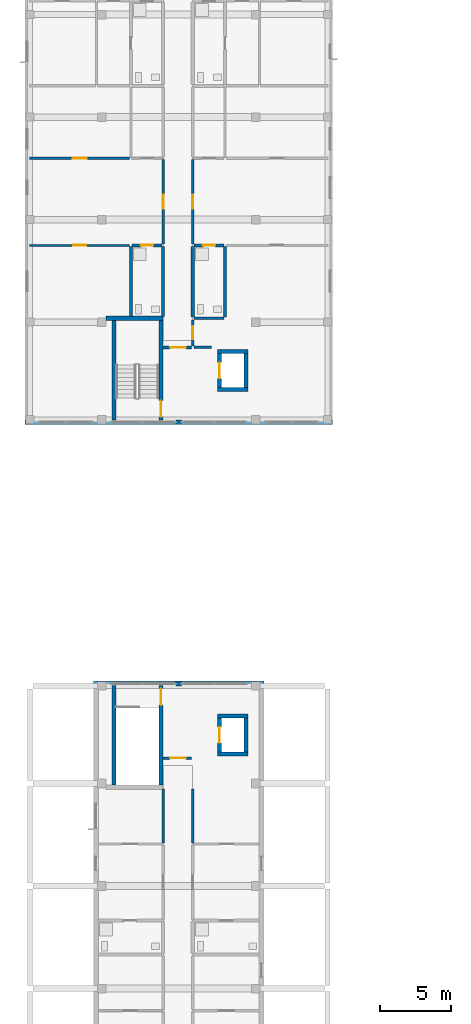
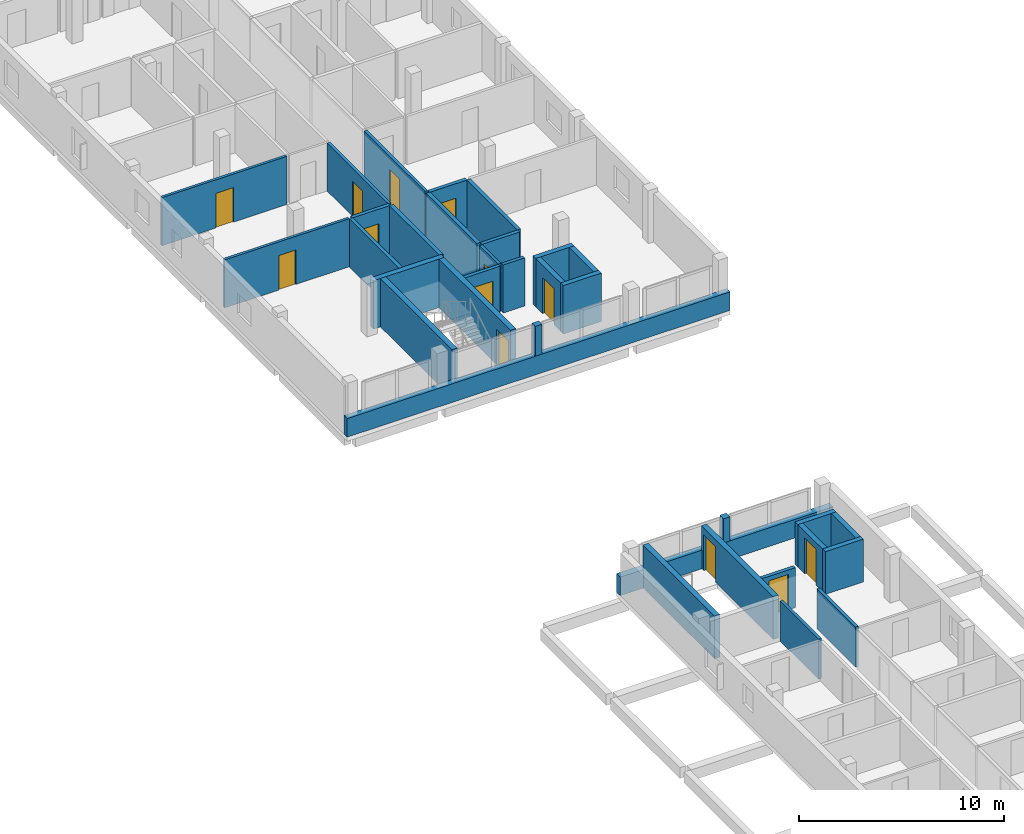
# One storey, part 13 of 34: 34 walls, 13 doors, 13 openings.
"""IFC4 building model written with IfcOpenShell, lengths in metres."""

from ifc_helpers import new_model, si_unit, derived_unit, direction, frame, frame_2d, origin, place, context, subcontext, project, spatial, rectangle, extrude, material, layer, layer_set, type_object, element, fill, save


model = new_model("IFC4")

# Units and contexts
model_context = context("Model", 3, precision=1e-05, world=origin(), true_north=direction((0.0, 1.0)))
body_context = subcontext(model_context, "Body", "Model", "MODEL_VIEW")
ifc_project = project(units=[si_unit("LENGTHUNIT", "METRE"), si_unit("AREAUNIT", "SQUARE_METRE"), si_unit("VOLUMEUNIT", "CUBIC_METRE"), si_unit("PLANEANGLEUNIT", "RADIAN"), si_unit("MASSUNIT", "GRAM", prefix="KILO"), derived_unit("THERMALTRANSMITTANCEUNIT", [(si_unit("MASSUNIT", "GRAM", prefix="KILO"), 1), (si_unit("TIMEUNIT", "SECOND"), -3), (si_unit("THERMODYNAMICTEMPERATUREUNIT", "KELVIN"), -1)])], contexts=[model_context])

# Site, building, storey
site_placement = place(None, origin())
site = spatial("IfcSite", under=ifc_project, at=site_placement, CompositionType="ELEMENT")
building_placement = place(site_placement, origin())
building = spatial("IfcBuilding", under=site, at=building_placement, Name="Ochrekiln Boulevard Commons", CompositionType="ELEMENT")
storey_placement = place(building_placement, frame((0.0, 0.0, 27.824951171875)))
storey = spatial("IfcBuildingStorey", under=building, at=storey_placement, Name="L08", CompositionType="ELEMENT", Elevation=27.824951171875)

# Walls
ifc_material_1 = material(Name="Iron-spot brown clinker brick masonry ASTM C216 Grade SW", Category="masonry")
ifc_layer_1 = layer(ifc_material_1, 0.364990234375)
ifc_layer_set_1 = layer_set([ifc_layer_1], Name="Iron-spot brown clinker brick masonry ASTM C216 Grade SW")
wall_type_1 = type_object("IfcWallType", Name="WL-EXT-IRON-365", PredefinedType="SOLIDWALL", material=ifc_layer_set_1)
wall_1_placement = place(storey_placement, frame((4.800048828125, 50.217529296875, 0.0), z_axis=(0.0, 0.0, 1.0), x_axis=(1.0, 0.0, 0.0)))
element("IfcWall", 1, at=wall_1_placement, inside=storey, type_object=wall_type_1, Name="Block D L08 Courtyard Gable Sill Wall", PredefinedType="SOLIDWALL", context=body_context, shape_type="SweptSolid", body=[
    extrude(rectangle(XDim=12.0, YDim=0.364990234375, at=frame_2d((6.0, 0.0))), origin(), (0.0, 0.0, 1.0), 1.110107421875),
])
wall_2_placement = place(storey_placement, frame((10.6201171875, 50.217529296875, 1.110107421875), z_axis=(0.0, 0.0, 1.0), x_axis=(1.0, 0.0, 0.0)))
element("IfcWall", 2, at=wall_2_placement, inside=storey, type_object=wall_type_1, Name="Block D L08 Courtyard Gable Mullion Pier", PredefinedType="SOLIDWALL", context=body_context, shape_type="SweptSolid", body=[
    extrude(rectangle(XDim=0.35986328125, YDim=0.364990234375, at=frame_2d((0.179931640625, 0.0))), origin(), (0.0, 0.0, 1.0), 1.43994140625),
])
ifc_material_2 = material(Name="Desert ochre clinker brick masonry ASTM C216 Grade SW", Category="masonry")
ifc_layer_2 = layer(ifc_material_2, 0.320068359375)
ifc_layer_set_2 = layer_set([ifc_layer_2], Name="Desert ochre clinker brick masonry ASTM C216 Grade SW")
wall_type_2 = type_object("IfcWallType", Name="WL-EXT-OCHRE-320", PredefinedType="SOLIDWALL", material=ifc_layer_set_2)
wall_3_placement = place(storey_placement, frame((0.0, 68.56005859375, 0.0), z_axis=(0.0, 0.0, 1.0), x_axis=(1.0, 0.0, 0.0)))
element("IfcWall", 3, at=wall_3_placement, inside=storey, type_object=wall_type_2, Name="Block A L08 Courtyard Gable Sill Wall", PredefinedType="SOLIDWALL", context=body_context, shape_type="SweptSolid", body=[
    extrude(rectangle(XDim=21.60009765625, YDim=0.320068359375, at=frame_2d((10.800048828125, 0.0))), origin(), (0.0, 0.0, 1.0), 1.110107421875),
])
wall_4_placement = place(storey_placement, frame((10.6201171875, 68.56005859375, 1.110107421875), z_axis=(0.0, 0.0, 1.0), x_axis=(1.0, 0.0, 0.0)))
element("IfcWall", 4, at=wall_4_placement, inside=storey, type_object=wall_type_2, Name="Block A L08 Courtyard Gable Mullion Pier", PredefinedType="SOLIDWALL", context=body_context, shape_type="SweptSolid", body=[
    extrude(rectangle(XDim=0.35986328125, YDim=0.320068359375, at=frame_2d((0.179931640625, 0.0))), origin(), (0.0, 0.0, 1.0), 1.780029296875),
])
ifc_material_3 = material(Name="Moisture-resistant cementitious tile backer wall")
ifc_layer_3 = layer(ifc_material_3, 0.199951171875)
ifc_layer_set_3 = layer_set([ifc_layer_3], Name="Moisture-resistant cementitious tile backer wall")
wall_type_3 = type_object("IfcWallType", Name="WL-PLM-200", PredefinedType="PLUMBINGWALL", material=ifc_layer_set_3)
wall_5_placement = place(storey_placement, frame((11.8720703125, 75.875, 0.0), z_axis=(0.0, 0.0, 1.0), x_axis=(1.0, 0.0, 0.0)))
element("IfcWall", 5, at=wall_5_placement, inside=storey, type_object=wall_type_3, Name="L08 Interior Wall W-PW200", PredefinedType="PLUMBINGWALL", context=body_context, shape_type="SweptSolid", body=[
    extrude(rectangle(XDim=2.10791015625, YDim=0.199951171875, at=frame_2d((1.053955078125, 0.0))), origin(), (0.0, 0.0, 1.0), 2.8701171875),
])

# Wall, opening, door
wall_6_placement = place(storey_placement, frame((7.52001953125, 80.991943359375, 0.0), z_axis=(0.0, 0.0, 1.0), x_axis=(1.0, 0.0, 0.0)))
wall_6 = element("IfcWall", 6, at=wall_6_placement, inside=storey, type_object=wall_type_3, Name="L08 Interior Wall W-PW200", PredefinedType="PLUMBINGWALL", context=body_context, shape_type="SweptSolid", body=[
    extrude(rectangle(XDim=2.10791015625, YDim=0.199951171875, at=frame_2d((1.053955078125, 0.0))), origin(), (0.0, 0.0, 1.0), 2.8701171875),
])
opening_1_placement = place(wall_6_placement, frame((0.6201171875, 0.0, 0.0)))
opening_1 = element("IfcOpeningElement", 7, at=opening_1_placement, cuts=wall_6, Name="Opening D-L08-1009", PredefinedType="OPENING", context=body_context, shape_type="SweptSolid", body=[
    extrude(rectangle(XDim=0.860107421875, YDim=2.0, at=frame_2d((0.43017578125, 1.0))), frame((0.0, 0.10986328125, 0.0), z_axis=(0.0, -1.0, 0.0), x_axis=(1.0, 0.0, 0.0)), (0.0, 0.0, 1.0), 0.219970703125),
])
ifc_material_4 = material(Name="Solid core architectural oak door leaf")
door_type_1 = type_object("IfcDoorType", Name="DR-INT-BTH-086", OperationType="NOTDEFINED", PredefinedType="DOOR", material=ifc_material_4)
door_1_placement = place(opening_1_placement, frame((0.860107421875, 0.0, 0.0), z_axis=(0.0, 0.0, 1.0), x_axis=(-1.0, 0.0, 0.0)))
door_1 = element("IfcDoor", 8, at=door_1_placement, inside=storey, type_object=door_type_1, Name="L08 Interior Door to Accessible Apartment Bathroom", OperationType="SINGLE_SWING_LEFT", OverallHeight=2.0, OverallWidth=0.860107421875, PredefinedType="DOOR", context=body_context, shape_type="SweptSolid", body=[
    extrude(rectangle(XDim=0.860107421875, YDim=2.0, at=frame_2d((0.43017578125, 1.0))), frame((0.0, 0.02490234375, 0.0), z_axis=(0.0, -1.0, 0.0), x_axis=(1.0, 0.0, 0.0)), (0.0, 0.0, 1.0), 0.050048828125),
])
fill(opening_1, door_1)

# Wall
wall_7_placement = place(storey_placement, frame((7.43994140625, 76.0, 0.0), z_axis=(0.0, 0.0, 1.0), x_axis=(0.0, 1.0, 0.0)))
element("IfcWall", 9, at=wall_7_placement, inside=storey, type_object=wall_type_3, Name="L08 Interior Wall W-PW200", PredefinedType="PLUMBINGWALL", context=body_context, shape_type="SweptSolid", body=[
    extrude(rectangle(XDim=4.912109375, YDim=0.199951171875, at=frame_2d((2.4560546875, 0.0))), origin(), (0.0, 0.0, 1.0), 2.8701171875),
])

# Wall, opening, door
wall_8_placement = place(storey_placement, frame((11.8720703125, 80.991943359375, 0.0), z_axis=(0.0, 0.0, 1.0), x_axis=(1.0, 0.0, 0.0)))
wall_8 = element("IfcWall", 10, at=wall_8_placement, inside=storey, type_object=wall_type_3, Name="L08 Interior Wall W-PW200", PredefinedType="PLUMBINGWALL", context=body_context, shape_type="SweptSolid", body=[
    extrude(rectangle(XDim=2.10791015625, YDim=0.199951171875, at=frame_2d((1.053955078125, 0.0))), origin(), (0.0, 0.0, 1.0), 2.8701171875),
])
opening_2_placement = place(wall_8_placement, frame((0.6279296875, 0.0, 0.0)))
opening_2 = element("IfcOpeningElement", 11, at=opening_2_placement, cuts=wall_8, Name="Opening D-L08-1020", PredefinedType="OPENING", context=body_context, shape_type="SweptSolid", body=[
    extrude(rectangle(XDim=0.860107421875, YDim=2.0, at=frame_2d((0.43017578125, 1.0))), frame((0.0, 0.10986328125, 0.0), z_axis=(0.0, -1.0, 0.0), x_axis=(1.0, 0.0, 0.0)), (0.0, 0.0, 1.0), 0.219970703125),
])
door_2_placement = place(opening_2_placement, frame((0.860107421875, 0.0, 0.0), z_axis=(0.0, 0.0, 1.0), x_axis=(-1.0, 0.0, 0.0)))
door_2 = element("IfcDoor", 12, at=door_2_placement, inside=storey, type_object=door_type_1, Name="L08 Interior Door to Apartment Bathroom", OperationType="SINGLE_SWING_RIGHT", OverallHeight=2.0, OverallWidth=0.860107421875, PredefinedType="DOOR", context=body_context, shape_type="SweptSolid", body=[
    extrude(rectangle(XDim=0.860107421875, YDim=2.0, at=frame_2d((0.43017578125, 1.0))), frame((0.0, 0.02490234375, 0.0), z_axis=(0.0, -1.0, 0.0), x_axis=(1.0, 0.0, 0.0)), (0.0, 0.0, 1.0), 0.050048828125),
])
fill(opening_2, door_2)

# Walls
wall_9_placement = place(storey_placement, frame((14.06005859375, 75.97509765625, 0.0), z_axis=(0.0, 0.0, 1.0), x_axis=(0.0, 1.0, 0.0)))
element("IfcWall", 13, at=wall_9_placement, inside=storey, type_object=wall_type_3, Name="L08 Interior Wall W-PW200", PredefinedType="PLUMBINGWALL", context=body_context, shape_type="SweptSolid", body=[
    extrude(rectangle(XDim=4.93701171875, YDim=0.199951171875, at=frame_2d((2.468505859375, 0.0))), origin(), (0.0, 0.0, 1.0), 2.8701171875),
])
ifc_layer_4 = layer(ifc_material_3, 0.219970703125)
ifc_layer_set_4 = layer_set([ifc_layer_4], Name="Moisture-resistant cementitious tile backer wall")
wall_type_4 = type_object("IfcWallType", Name="WL-PLM-220", PredefinedType="PLUMBINGWALL", material=ifc_layer_set_4)
wall_10_placement = place(storey_placement, frame((9.7099609375, 76.0, 0.0), z_axis=(0.0, 0.0, 1.0), x_axis=(0.0, 1.0, 0.0)))
element("IfcWall", 14, at=wall_10_placement, inside=storey, type_object=wall_type_4, Name="L08 Interior Wall W-PW220", PredefinedType="PLUMBINGWALL", context=body_context, shape_type="SweptSolid", body=[
    extrude(rectangle(XDim=4.912109375, YDim=0.219970703125, at=frame_2d((2.4560546875, 0.0))), origin(), (0.0, 0.0, 1.0), 2.8701171875),
])
wall_11_placement = place(storey_placement, frame((11.7900390625, 75.97509765625, 0.0), z_axis=(0.0, 0.0, 1.0), x_axis=(0.0, 1.0, 0.0)))
element("IfcWall", 15, at=wall_11_placement, inside=storey, type_object=wall_type_4, Name="L08 Interior Wall W-PW220", PredefinedType="PLUMBINGWALL", context=body_context, shape_type="SweptSolid", body=[
    extrude(rectangle(XDim=4.93701171875, YDim=0.219970703125, at=frame_2d((2.468505859375, 0.0))), origin(), (0.0, 0.0, 1.0), 2.8701171875),
])

# Wall, opening, door
ifc_material_5 = material(Name="Fire-rated Type X gypsum board on steel studs", Category="steel")
ifc_layer_5 = layer(ifc_material_5, 0.1650390625)
ifc_layer_set_5 = layer_set([ifc_layer_5], Name="Fire-rated Type X gypsum board on steel studs")
wall_type_5 = type_object("IfcWallType", Name="WL-PT-CORR-165", PredefinedType="PARTITIONING", material=ifc_layer_set_5)
wall_12_placement = place(storey_placement, frame((11.7900390625, 73.929931640625, 0.0), z_axis=(0.0, 0.0, 1.0), x_axis=(0.0, 1.0, 0.0)))
wall_12 = element("IfcWall", 16, at=wall_12_placement, inside=storey, type_object=wall_type_5, Name="L08 Interior Wall W-PC165", PredefinedType="PARTITIONING", context=body_context, shape_type="SweptSolid", body=[
    extrude(rectangle(XDim=1.820068359375, YDim=0.1650390625, at=frame_2d((0.91015625, 0.0))), origin(), (0.0, 0.0, 1.0), 2.8701171875),
])
opening_3_placement = place(wall_12_placement, frame((0.4599609375, 0.0, 0.0)))
opening_3 = element("IfcOpeningElement", 17, at=opening_3_placement, cuts=wall_12, Name="Opening D-L08-1004", PredefinedType="OPENING", context=body_context, shape_type="SweptSolid", body=[
    extrude(rectangle(XDim=0.919921875, YDim=2.0400390625, at=frame_2d((0.4599609375, 1.02001953125))), frame((0.0, 0.092529296875, 0.0), z_axis=(0.0, -1.0, 0.0), x_axis=(1.0, 0.0, 0.0)), (0.0, 0.0, 1.0), 0.18505859375),
])
ifc_material_6 = material(Name="Hollow metal fire-rated steel door assembly", Category="steel")
door_type_2 = type_object("IfcDoorType", Name="DR-SRV-90", OperationType="NOTDEFINED", PredefinedType="DOOR", material=ifc_material_6)
door_3_placement = place(opening_3_placement, frame((0.919921875, 0.0, 0.0), z_axis=(0.0, 0.0, 1.0), x_axis=(-1.0, 0.0, 0.0)))
door_3 = element("IfcDoor", 18, at=door_3_placement, inside=storey, type_object=door_type_2, Name="L08 Interior Door to Hydronic and Electrical Riser Room", OperationType="SINGLE_SWING_RIGHT", OverallHeight=2.0400390625, OverallWidth=0.919921875, PredefinedType="DOOR", context=body_context, shape_type="SweptSolid", body=[
    extrude(rectangle(XDim=0.919921875, YDim=2.0400390625, at=frame_2d((0.4599609375, 1.02001953125))), frame((0.0, 0.02490234375, 0.0), z_axis=(0.0, -1.0, 0.0), x_axis=(1.0, 0.0, 0.0)), (0.0, 0.0, 1.0), 0.050048828125),
])
fill(opening_3, door_3)

wall_13_placement = place(storey_placement, frame((9.7099609375, 81.072021484375, 0.0), z_axis=(0.0, 0.0, 1.0), x_axis=(0.0, 1.0, 0.0)))
wall_13 = element("IfcWall", 19, at=wall_13_placement, inside=storey, type_object=wall_type_5, Name="L08 Interior Wall W-PC165", PredefinedType="PARTITIONING", context=body_context, shape_type="SweptSolid", body=[
    extrude(rectangle(XDim=5.9580078125, YDim=0.1650390625, at=frame_2d((2.97900390625, 0.0))), origin(), (0.0, 0.0, 1.0), 2.8701171875),
])
opening_4_placement = place(wall_13_placement, frame((2.489013671875, 0.0, 0.0)))
opening_4 = element("IfcOpeningElement", 20, at=opening_4_placement, cuts=wall_13, Name="Opening D-L08-1005", PredefinedType="OPENING", context=body_context, shape_type="SweptSolid", body=[
    extrude(rectangle(XDim=0.97998046875, YDim=2.080078125, at=frame_2d((0.489990234375, 1.0400390625))), frame((0.0, 0.092529296875, 0.0), z_axis=(0.0, -1.0, 0.0), x_axis=(1.0, 0.0, 0.0)), (0.0, 0.0, 1.0), 0.18505859375),
])
door_type_3 = type_object("IfcDoorType", Name="DR-APT-60", OperationType="NOTDEFINED", PredefinedType="DOOR", material=ifc_material_4)
door_4_placement = place(opening_4_placement, origin())
door_4 = element("IfcDoor", 21, at=door_4_placement, inside=storey, type_object=door_type_3, Name="L08 Interior Door to Two-Bedroom Apartment Living Room", OperationType="SINGLE_SWING_LEFT", OverallHeight=2.080078125, OverallWidth=0.97998046875, PredefinedType="DOOR", context=body_context, shape_type="SweptSolid", body=[
    extrude(rectangle(XDim=0.97998046875, YDim=2.080078125, at=frame_2d((0.489990234375, 1.0400390625))), frame((0.0, 0.02490234375, 0.0), z_axis=(0.0, -1.0, 0.0), x_axis=(1.0, 0.0, 0.0)), (0.0, 0.0, 1.0), 0.050048828125),
])
fill(opening_4, door_4)

wall_14_placement = place(storey_placement, frame((11.7900390625, 81.072021484375, 0.0), z_axis=(0.0, 0.0, 1.0), x_axis=(0.0, 1.0, 0.0)))
wall_14 = element("IfcWall", 22, at=wall_14_placement, inside=storey, type_object=wall_type_5, Name="L08 Interior Wall W-PC165", PredefinedType="PARTITIONING", context=body_context, shape_type="SweptSolid", body=[
    extrude(rectangle(XDim=5.9580078125, YDim=0.1650390625, at=frame_2d((2.97900390625, 0.0))), origin(), (0.0, 0.0, 1.0), 2.8701171875),
])
opening_5_placement = place(wall_14_placement, frame((2.489013671875, 0.0, 0.0)))
opening_5 = element("IfcOpeningElement", 23, at=opening_5_placement, cuts=wall_14, Name="Opening D-L08-1007", PredefinedType="OPENING", context=body_context, shape_type="SweptSolid", body=[
    extrude(rectangle(XDim=0.97998046875, YDim=2.080078125, at=frame_2d((0.489990234375, 1.0400390625))), frame((0.0, 0.092529296875, 0.0), z_axis=(0.0, -1.0, 0.0), x_axis=(1.0, 0.0, 0.0)), (0.0, 0.0, 1.0), 0.18505859375),
])
door_5_placement = place(opening_5_placement, frame((0.97998046875, 0.0, 0.0), z_axis=(0.0, 0.0, 1.0), x_axis=(-1.0, 0.0, 0.0)))
door_5 = element("IfcDoor", 24, at=door_5_placement, inside=storey, type_object=door_type_3, Name="L08 Interior Door to Two-Bedroom Apartment Living Room", OperationType="SINGLE_SWING_LEFT", OverallHeight=2.080078125, OverallWidth=0.97998046875, PredefinedType="DOOR", context=body_context, shape_type="SweptSolid", body=[
    extrude(rectangle(XDim=0.97998046875, YDim=2.080078125, at=frame_2d((0.489990234375, 1.0400390625))), frame((0.0, 0.02490234375, 0.0), z_axis=(0.0, -1.0, 0.0), x_axis=(1.0, 0.0, 0.0)), (0.0, 0.0, 1.0), 0.050048828125),
])
fill(opening_5, door_5)

# Walls
for number, where, z_axis, x_axis, name in (
    (25, (9.7099609375, 39.030029296875, 0.0), (0.0, 0.0, 1.0), (0.0, 1.0, 0.0), "L08 Interior Wall W-PC165"),
    (26, (11.7900390625, 39.030029296875, 0.0), (0.0, 0.0, 1.0), (0.0, 1.0, 0.0), "L08 Interior Wall W-PC165"),
):
    element("IfcWall", number, at=place(storey_placement, frame(where, z_axis=z_axis, x_axis=x_axis)), inside=storey, type_object=wall_type_5, Name=name, PredefinedType="PARTITIONING", context=body_context, shape_type="SweptSolid", body=[
        extrude(rectangle(XDim=3.77001953125, YDim=0.1650390625, at=frame_2d((1.885009765625, 0.0))), origin(), (0.0, 0.0, 1.0), 2.39013671875),
    ])
ifc_layer_6 = layer(ifc_material_5, 0.18994140625)
ifc_layer_set_6 = layer_set([ifc_layer_6], Name="Fire-rated Type X gypsum board on steel studs")
wall_type_6 = type_object("IfcWallType", Name="WL-PT-LBY-190", PredefinedType="PARTITIONING", material=ifc_layer_set_6)
wall_15_placement = place(storey_placement, frame((11.8798828125, 73.8349609375, 0.0), z_axis=(0.0, 0.0, 1.0), x_axis=(1.0, 0.0, 0.0)))
element("IfcWall", 27, at=wall_15_placement, inside=storey, type_object=wall_type_6, Name="L08 Interior Wall W-PL190", PredefinedType="PARTITIONING", context=body_context, shape_type="SweptSolid", body=[
    extrude(rectangle(XDim=1.22021484375, YDim=0.18994140625, at=frame_2d((0.610107421875, 0.0))), origin(), (0.0, 0.0, 1.0), 2.8701171875),
])

# Wall, opening, door
wall_16_placement = place(storey_placement, frame((9.699951171875, 73.820068359375, 0.0), z_axis=(0.0, 0.0, 1.0), x_axis=(1.0, 0.0, 0.0)))
wall_16 = element("IfcWall", 28, at=wall_16_placement, inside=storey, type_object=wall_type_6, Name="L08 Interior Wall W-PL190", PredefinedType="PARTITIONING", context=body_context, shape_type="SweptSolid", body=[
    extrude(rectangle(XDim=2.0, YDim=0.18994140625, at=frame_2d((1.0, 0.0))), origin(), (0.0, 0.0, 1.0), 2.8701171875),
])
opening_6_placement = place(wall_16_placement, frame((0.5, 0.0, 0.0)))
opening_6 = element("IfcOpeningElement", 29, at=opening_6_placement, cuts=wall_16, Name="Opening D-L08-1002", PredefinedType="OPENING", context=body_context, shape_type="SweptSolid", body=[
    extrude(rectangle(XDim=1.10009765625, YDim=2.1201171875, at=frame_2d((0.550048828125, 1.06005859375))), frame((0.0, 0.10498046875, 0.0), z_axis=(0.0, -1.0, 0.0), x_axis=(1.0, 0.0, 0.0)), (0.0, 0.0, 1.0), 0.2099609375),
])
door_type_4 = type_object("IfcDoorType", Name="DR-LOBBY-60", OperationType="NOTDEFINED", PredefinedType="DOOR", material=ifc_material_6)
door_6_placement = place(opening_6_placement, frame((1.10009765625, 0.0, 0.0), z_axis=(0.0, 0.0, 1.0), x_axis=(-1.0, 0.0, 0.0)))
door_6 = element("IfcDoor", 30, at=door_6_placement, inside=storey, type_object=door_type_4, Name="L08 Interior Door to Fire Service Access Elevator Lobby", OperationType="SINGLE_SWING_RIGHT", OverallHeight=2.1201171875, OverallWidth=1.10009765625, PredefinedType="DOOR", context=body_context, shape_type="SweptSolid", body=[
    extrude(rectangle(XDim=1.10009765625, YDim=2.1201171875, at=frame_2d((0.550048828125, 1.06005859375))), frame((0.0, 0.02490234375, 0.0), z_axis=(0.0, -1.0, 0.0), x_axis=(1.0, 0.0, 0.0)), (0.0, 0.0, 1.0), 0.050048828125),
])
fill(opening_6, door_6)

wall_17_placement = place(storey_placement, frame((9.699951171875, 44.97998046875, 0.0), z_axis=(0.0, 0.0, 1.0), x_axis=(1.0, 0.0, 0.0)))
wall_17 = element("IfcWall", 31, at=wall_17_placement, inside=storey, type_object=wall_type_6, Name="L08 Interior Wall W-PL190", PredefinedType="PARTITIONING", context=body_context, shape_type="SweptSolid", body=[
    extrude(rectangle(XDim=2.0, YDim=0.18994140625, at=frame_2d((1.0, 0.0))), origin(), (0.0, 0.0, 1.0), 2.39013671875),
])
opening_7_placement = place(wall_17_placement, frame((0.5, 0.0, 0.0)))
opening_7 = element("IfcOpeningElement", 32, at=opening_7_placement, cuts=wall_17, Name="Opening D-L08-1076", PredefinedType="OPENING", context=body_context, shape_type="SweptSolid", body=[
    extrude(rectangle(XDim=1.10009765625, YDim=2.1201171875, at=frame_2d((0.550048828125, 1.06005859375))), frame((0.0, 0.10498046875, 0.0), z_axis=(0.0, -1.0, 0.0), x_axis=(1.0, 0.0, 0.0)), (0.0, 0.0, 1.0), 0.2099609375),
])
door_7_placement = place(opening_7_placement, origin())
door_7 = element("IfcDoor", 33, at=door_7_placement, inside=storey, type_object=door_type_4, Name="L08 Interior Door to Passenger Elevator Lobby", OperationType="SINGLE_SWING_RIGHT", OverallHeight=2.1201171875, OverallWidth=1.10009765625, PredefinedType="DOOR", context=body_context, shape_type="SweptSolid", body=[
    extrude(rectangle(XDim=1.10009765625, YDim=2.1201171875, at=frame_2d((0.550048828125, 1.06005859375))), frame((0.0, 0.02490234375, 0.0), z_axis=(0.0, -1.0, 0.0), x_axis=(1.0, 0.0, 0.0)), (0.0, 0.0, 1.0), 0.050048828125),
])
fill(opening_7, door_7)

ifc_layer_7 = layer(ifc_material_5, 0.14990234375)
ifc_layer_set_7 = layer_set([ifc_layer_7], Name="Fire-rated Type X gypsum board on steel studs")
wall_type_7 = type_object("IfcWallType", Name="WL-PT-STD-150", PredefinedType="PARTITIONING", material=ifc_layer_set_7)
wall_18_placement = place(storey_placement, frame((0.320068359375, 80.991943359375, 0.0), z_axis=(0.0, 0.0, 1.0), x_axis=(1.0, 0.0, 0.0)))
wall_18 = element("IfcWall", 34, at=wall_18_placement, inside=storey, type_object=wall_type_7, Name="L08 Interior Wall W-PS150", PredefinedType="PARTITIONING", context=body_context, shape_type="SweptSolid", body=[
    extrude(rectangle(XDim=7.0400390625, YDim=0.14990234375, at=frame_2d((3.52001953125, 0.0))), origin(), (0.0, 0.0, 1.0), 2.8701171875),
])
opening_8_placement = place(wall_18_placement, frame((3.06494140625, 0.0, 0.0)))
opening_8 = element("IfcOpeningElement", 35, at=opening_8_placement, cuts=wall_18, Name="Opening D-L08-1011", PredefinedType="OPENING", context=body_context, shape_type="SweptSolid", body=[
    extrude(rectangle(XDim=0.93994140625, YDim=2.06005859375, at=frame_2d((0.469970703125, 1.030029296875))), frame((0.0, 0.0849609375, 0.0), z_axis=(0.0, -1.0, 0.0), x_axis=(1.0, 0.0, 0.0)), (0.0, 0.0, 1.0), 0.169921875),
])
door_type_5 = type_object("IfcDoorType", Name="DR-INT-BED-094", OperationType="NOTDEFINED", PredefinedType="DOOR", material=ifc_material_4)
door_8_placement = place(opening_8_placement, frame((0.93994140625, 0.0, 0.0), z_axis=(0.0, 0.0, 1.0), x_axis=(-1.0, 0.0, 0.0)))
door_8 = element("IfcDoor", 36, at=door_8_placement, inside=storey, type_object=door_type_5, Name="L08 Interior Door to Primary Apartment Bedroom", OperationType="SINGLE_SWING_LEFT", OverallHeight=2.06005859375, OverallWidth=0.93994140625, PredefinedType="DOOR", context=body_context, shape_type="SweptSolid", body=[
    extrude(rectangle(XDim=0.93994140625, YDim=2.06005859375, at=frame_2d((0.469970703125, 1.030029296875))), frame((0.0, 0.02490234375, 0.0), z_axis=(0.0, -1.0, 0.0), x_axis=(1.0, 0.0, 0.0)), (0.0, 0.0, 1.0), 0.050048828125),
])
fill(opening_8, door_8)

wall_19_placement = place(storey_placement, frame((0.320068359375, 87.110107421875, 0.0), z_axis=(0.0, 0.0, 1.0), x_axis=(1.0, 0.0, 0.0)))
wall_19 = element("IfcWall", 37, at=wall_19_placement, inside=storey, type_object=wall_type_7, Name="L08 Interior Wall W-PS150", PredefinedType="PARTITIONING", context=body_context, shape_type="SweptSolid", body=[
    extrude(rectangle(XDim=7.0400390625, YDim=0.14990234375, at=frame_2d((3.52001953125, 0.0))), origin(), (0.0, 0.0, 1.0), 2.8701171875),
])
opening_9_placement = place(wall_19_placement, frame((3.034912109375, 0.0, 0.0)))
opening_9 = element("IfcOpeningElement", 38, at=opening_9_placement, cuts=wall_19, Name="Opening D-L08-1012", PredefinedType="OPENING", context=body_context, shape_type="SweptSolid", body=[
    extrude(rectangle(XDim=1.0, YDim=2.06005859375, at=frame_2d((0.5, 1.030029296875))), frame((0.0, 0.0849609375, 0.0), z_axis=(0.0, -1.0, 0.0), x_axis=(1.0, 0.0, 0.0)), (0.0, 0.0, 1.0), 0.169921875),
])
door_type_6 = type_object("IfcDoorType", Name="DR-INT-BED-100", OperationType="NOTDEFINED", PredefinedType="DOOR", material=ifc_material_4)
door_9_placement = place(opening_9_placement, origin())
door_9 = element("IfcDoor", 39, at=door_9_placement, inside=storey, type_object=door_type_6, Name="L08 Interior Door to Secondary Apartment Bedroom", OperationType="SINGLE_SWING_RIGHT", OverallHeight=2.06005859375, OverallWidth=1.0, PredefinedType="DOOR", context=body_context, shape_type="SweptSolid", body=[
    extrude(rectangle(XDim=1.0, YDim=2.06005859375, at=frame_2d((0.5, 1.030029296875))), frame((0.0, 0.02490234375, 0.0), z_axis=(0.0, -1.0, 0.0), x_axis=(1.0, 0.0, 0.0)), (0.0, 0.0, 1.0), 0.050048828125),
])
fill(opening_9, door_9)

# Walls
ifc_material_7 = material(Name="Concrete C40/50", Category="concrete")
ifc_layer_8 = layer(ifc_material_7, 0.27490234375)
ifc_layer_set_8 = layer_set([ifc_layer_8], Name="Concrete C40/50")
wall_type_8 = type_object("IfcWallType", Name="WL-SH-275", PredefinedType="SHEAR", material=ifc_layer_set_8)
for number, where, z_axis, x_axis, name in (
    (40, (13.52490234375, 70.862548828125, 0.0), (0.0, 0.0, 1.0), (1.0, 0.0, 0.0), "Elevator FF-A1 L08 Hoistway Shear Wall"),
    (41, (13.52490234375, 73.53759765625, 0.0), (0.0, 0.0, 1.0), (1.0, 0.0, 0.0), "Elevator FF-A1 L08 Hoistway Shear Wall"),
):
    element("IfcWall", number, at=place(storey_placement, frame(where, z_axis=z_axis, x_axis=x_axis)), inside=storey, type_object=wall_type_8, Name=name, PredefinedType="SHEAR", context=body_context, shape_type="SweptSolid", body=[
        extrude(rectangle(XDim=2.150146484375, YDim=0.27490234375, at=frame_2d((1.0751953125, 0.0))), origin(), (0.0, 0.0, 1.0), 2.89013671875),
    ])

# Wall, opening, door
wall_20_placement = place(storey_placement, frame((13.66259765625, 71.0, 0.0), z_axis=(0.0, 0.0, 1.0), x_axis=(0.0, 1.0, 0.0)))
wall_20 = element("IfcWall", 42, at=wall_20_placement, inside=storey, type_object=wall_type_8, Name="Elevator FF-A1 L08 Hoistway Shear Wall", PredefinedType="SHEAR", context=body_context, shape_type="SweptSolid", body=[
    extrude(rectangle(XDim=2.39990234375, YDim=0.27490234375, at=frame_2d((1.199951171875, 0.0))), origin(), (0.0, 0.0, 1.0), 2.89013671875),
])
opening_10_placement = place(wall_20_placement, frame((0.64990234375, 0.0, 0.0)))
opening_10 = element("IfcOpeningElement", 43, at=opening_10_placement, cuts=wall_20, Name="Opening LD-FF-A1-L08", PredefinedType="OPENING", context=body_context, shape_type="SweptSolid", body=[
    extrude(rectangle(XDim=1.10009765625, YDim=2.14990234375, at=frame_2d((0.550048828125, 1.074951171875))), frame((0.0, 0.1474609375, 0.0), z_axis=(0.0, -1.0, 0.0), x_axis=(1.0, 0.0, 0.0)), (0.0, 0.0, 1.0), 0.294921875),
])
ifc_material_8 = material(Name="Brushed stainless steel 316 elevator cab and doors", Category="steel")
door_type_7 = type_object("IfcDoorType", Name="DR-LIFT-LD90", OperationType="SLIDING_TO_LEFT", PredefinedType="DOOR", material=ifc_material_8)
door_10_placement = place(opening_10_placement, origin())
door_10 = element("IfcDoor", 44, at=door_10_placement, inside=storey, type_object=door_type_7, Name="Elevator FF-A1 L08 Sliding Landing Door LD-FF-A1-L08", OperationType="SLIDING_TO_LEFT", OverallHeight=2.14990234375, OverallWidth=1.10009765625, PredefinedType="DOOR", context=body_context, shape_type="SweptSolid", body=[
    extrude(rectangle(XDim=1.10009765625, YDim=2.14990234375, at=frame_2d((0.550048828125, 1.074951171875))), frame((0.0, 0.02490234375, 0.0), z_axis=(0.0, -1.0, 0.0), x_axis=(1.0, 0.0, 0.0)), (0.0, 0.0, 1.0), 0.050048828125),
])
fill(opening_10, door_10)

# Walls
wall_21_placement = place(storey_placement, frame((15.53759765625, 71.0, 0.0), z_axis=(0.0, 0.0, 1.0), x_axis=(0.0, 1.0, 0.0)))
element("IfcWall", 45, at=wall_21_placement, inside=storey, type_object=wall_type_8, Name="Elevator FF-A1 L08 Hoistway Shear Wall", PredefinedType="SHEAR", context=body_context, shape_type="SweptSolid", body=[
    extrude(rectangle(XDim=2.39990234375, YDim=0.27490234375, at=frame_2d((1.199951171875, 0.0))), origin(), (0.0, 0.0, 1.0), 2.89013671875),
])
for number, where, z_axis, x_axis, name in (
    (46, (13.52490234375, 45.262451171875, 0.0), (0.0, 0.0, 1.0), (1.0, 0.0, 0.0), "Elevator LP-D2 L08 Hoistway Shear Wall"),
    (47, (13.52490234375, 47.9375, 0.0), (0.0, 0.0, 1.0), (1.0, 0.0, 0.0), "Elevator LP-D2 L08 Hoistway Shear Wall"),
):
    element("IfcWall", number, at=place(storey_placement, frame(where, z_axis=z_axis, x_axis=x_axis)), inside=storey, type_object=wall_type_8, Name=name, PredefinedType="SHEAR", context=body_context, shape_type="SweptSolid", body=[
        extrude(rectangle(XDim=2.150146484375, YDim=0.27490234375, at=frame_2d((1.0751953125, 0.0))), origin(), (0.0, 0.0, 1.0), 2.550048828125),
    ])

# Wall, opening, door
wall_22_placement = place(storey_placement, frame((13.66259765625, 45.39990234375, 0.0), z_axis=(0.0, 0.0, 1.0), x_axis=(0.0, 1.0, 0.0)))
wall_22 = element("IfcWall", 48, at=wall_22_placement, inside=storey, type_object=wall_type_8, Name="Elevator LP-D2 L08 Hoistway Shear Wall", PredefinedType="SHEAR", context=body_context, shape_type="SweptSolid", body=[
    extrude(rectangle(XDim=2.400146484375, YDim=0.27490234375, at=frame_2d((1.2001953125, 0.0))), origin(), (0.0, 0.0, 1.0), 2.550048828125),
])
opening_11_placement = place(wall_22_placement, frame((0.64990234375, 0.0, 0.0)))
opening_11 = element("IfcOpeningElement", 49, at=opening_11_placement, cuts=wall_22, Name="Opening LD-LP-D2-L08", PredefinedType="OPENING", context=body_context, shape_type="SweptSolid", body=[
    extrude(rectangle(XDim=1.10009765625, YDim=2.14990234375, at=frame_2d((0.550048828125, 1.074951171875))), frame((0.0, 0.1474609375, 0.0), z_axis=(0.0, -1.0, 0.0), x_axis=(1.0, 0.0, 0.0)), (0.0, 0.0, 1.0), 0.294921875),
])
door_11_placement = place(opening_11_placement, origin())
door_11 = element("IfcDoor", 50, at=door_11_placement, inside=storey, type_object=door_type_7, Name="Elevator LP-D2 L08 Sliding Landing Door LD-LP-D2-L08", OperationType="SLIDING_TO_LEFT", OverallHeight=2.14990234375, OverallWidth=1.10009765625, PredefinedType="DOOR", context=body_context, shape_type="SweptSolid", body=[
    extrude(rectangle(XDim=1.10009765625, YDim=2.14990234375, at=frame_2d((0.550048828125, 1.074951171875))), frame((0.0, 0.02490234375, 0.0), z_axis=(0.0, -1.0, 0.0), x_axis=(1.0, 0.0, 0.0)), (0.0, 0.0, 1.0), 0.050048828125),
])
fill(opening_11, door_11)

# Walls
wall_23_placement = place(storey_placement, frame((15.53759765625, 45.39990234375, 0.0), z_axis=(0.0, 0.0, 1.0), x_axis=(0.0, 1.0, 0.0)))
element("IfcWall", 51, at=wall_23_placement, inside=storey, type_object=wall_type_8, Name="Elevator LP-D2 L08 Hoistway Shear Wall", PredefinedType="SHEAR", context=body_context, shape_type="SweptSolid", body=[
    extrude(rectangle(XDim=2.400146484375, YDim=0.27490234375, at=frame_2d((1.2001953125, 0.0))), origin(), (0.0, 0.0, 1.0), 2.550048828125),
])
ifc_layer_9 = layer(ifc_material_7, 0.300048828125)
ifc_layer_set_9 = layer_set([ifc_layer_9], Name="Concrete C40/50")
wall_type_9 = type_object("IfcWallType", Name="WL-SH-300", PredefinedType="SHEAR", material=ifc_layer_set_9)
wall_24_placement = place(storey_placement, frame((5.699951171875, 75.8701171875, 0.0), z_axis=(0.0, 0.0, 1.0), x_axis=(1.0, 0.0, 0.0)))
element("IfcWall", 52, at=wall_24_placement, inside=storey, type_object=wall_type_9, Name="Stair ST-A1 L08 Core Shear Wall N", PredefinedType="SHEAR", context=body_context, shape_type="SweptSolid", body=[
    extrude(rectangle(XDim=4.0, YDim=0.300048828125, at=frame_2d((2.0, 0.0))), origin(), (0.0, 0.0, 1.0), 2.89013671875),
])
wall_25_placement = place(storey_placement, frame((6.25, 68.719970703125, 0.0), z_axis=(0.0, 0.0, 1.0), x_axis=(0.0, 1.0, 0.0)))
element("IfcWall", 53, at=wall_25_placement, inside=storey, type_object=wall_type_9, Name="Stair ST-A1 L08 Core Shear Wall W", PredefinedType="SHEAR", context=body_context, shape_type="SweptSolid", body=[
    extrude(rectangle(XDim=7.0, YDim=0.300048828125, at=frame_2d((3.5, 0.0))), origin(), (0.0, 0.0, 1.0), 2.89013671875),
])

# Wall, opening, door
wall_26_placement = place(storey_placement, frame((9.550048828125, 68.719970703125, 0.0), z_axis=(0.0, 0.0, 1.0), x_axis=(0.0, 1.0, 0.0)))
wall_26 = element("IfcWall", 54, at=wall_26_placement, inside=storey, type_object=wall_type_9, Name="Stair ST-A1 L08 Core Shear Wall E", PredefinedType="SHEAR", context=body_context, shape_type="SweptSolid", body=[
    extrude(rectangle(XDim=7.0, YDim=0.300048828125, at=frame_2d((3.5, 0.0))), origin(), (0.0, 0.0, 1.0), 2.89013671875),
])
opening_12_placement = place(wall_26_placement, frame((0.22509765625, 0.0, 0.0)))
opening_12 = element("IfcOpeningElement", 55, at=opening_12_placement, cuts=wall_26, Name="Opening D-L08-ST-A1", PredefinedType="OPENING", context=body_context, shape_type="SweptSolid", body=[
    extrude(rectangle(XDim=1.14990234375, YDim=2.1201171875, at=frame_2d((0.574951171875, 1.06005859375))), frame((0.0, 0.159912109375, 0.0), z_axis=(0.0, -1.0, 0.0), x_axis=(1.0, 0.0, 0.0)), (0.0, 0.0, 1.0), 0.320068359375),
])
door_type_8 = type_object("IfcDoorType", Name="DR-STAIR-90", OperationType="NOTDEFINED", PredefinedType="DOOR", material=ifc_material_6)
door_12_placement = place(opening_12_placement, origin())
door_12 = element("IfcDoor", 56, at=door_12_placement, inside=storey, type_object=door_type_8, Name="Enclosed Exit Stair ST-A1 L08 Rated Door", OperationType="SINGLE_SWING_RIGHT", OverallHeight=2.1201171875, OverallWidth=1.14990234375, PredefinedType="DOOR", context=body_context, shape_type="SweptSolid", body=[
    extrude(rectangle(XDim=1.14990234375, YDim=2.1201171875, at=frame_2d((0.574951171875, 1.06005859375))), frame((0.0, 0.02490234375, 0.0), z_axis=(0.0, -1.0, 0.0), x_axis=(1.0, 0.0, 0.0)), (0.0, 0.0, 1.0), 0.050048828125),
])
fill(opening_12, door_12)

# Wall
wall_27_placement = place(storey_placement, frame((6.25, 43.080078125, 0.0), z_axis=(0.0, 0.0, 1.0), x_axis=(0.0, 1.0, 0.0)))
element("IfcWall", 57, at=wall_27_placement, inside=storey, type_object=wall_type_9, Name="Stair ST-D2 L08 Core Shear Wall W", PredefinedType="SHEAR", context=body_context, shape_type="SweptSolid", body=[
    extrude(rectangle(XDim=7.0, YDim=0.300048828125, at=frame_2d((3.5, 0.0))), origin(), (0.0, 0.0, 1.0), 2.550048828125),
])

# Wall, opening, door
wall_28_placement = place(storey_placement, frame((9.550048828125, 43.080078125, 0.0), z_axis=(0.0, 0.0, 1.0), x_axis=(0.0, 1.0, 0.0)))
wall_28 = element("IfcWall", 58, at=wall_28_placement, inside=storey, type_object=wall_type_9, Name="Stair ST-D2 L08 Core Shear Wall E", PredefinedType="SHEAR", context=body_context, shape_type="SweptSolid", body=[
    extrude(rectangle(XDim=7.0, YDim=0.300048828125, at=frame_2d((3.5, 0.0))), origin(), (0.0, 0.0, 1.0), 2.550048828125),
])
opening_13_placement = place(wall_28_placement, frame((5.625, 0.0, 0.0)))
opening_13 = element("IfcOpeningElement", 59, at=opening_13_placement, cuts=wall_28, Name="Opening D-L08-ST-D2", PredefinedType="OPENING", context=body_context, shape_type="SweptSolid", body=[
    extrude(rectangle(XDim=1.14990234375, YDim=2.1201171875, at=frame_2d((0.574951171875, 1.06005859375))), frame((0.0, 0.159912109375, 0.0), z_axis=(0.0, -1.0, 0.0), x_axis=(1.0, 0.0, 0.0)), (0.0, 0.0, 1.0), 0.320068359375),
])
door_13_placement = place(opening_13_placement, origin())
door_13 = element("IfcDoor", 60, at=door_13_placement, inside=storey, type_object=door_type_8, Name="Enclosed Exit Stair ST-D2 L08 Rated Door", OperationType="SINGLE_SWING_RIGHT", OverallHeight=2.1201171875, OverallWidth=1.14990234375, PredefinedType="DOOR", context=body_context, shape_type="SweptSolid", body=[
    extrude(rectangle(XDim=1.14990234375, YDim=2.1201171875, at=frame_2d((0.574951171875, 1.06005859375))), frame((0.0, 0.02490234375, 0.0), z_axis=(0.0, -1.0, 0.0), x_axis=(1.0, 0.0, 0.0)), (0.0, 0.0, 1.0), 0.050048828125),
])
fill(opening_13, door_13)

save(model, "model.ifc")
